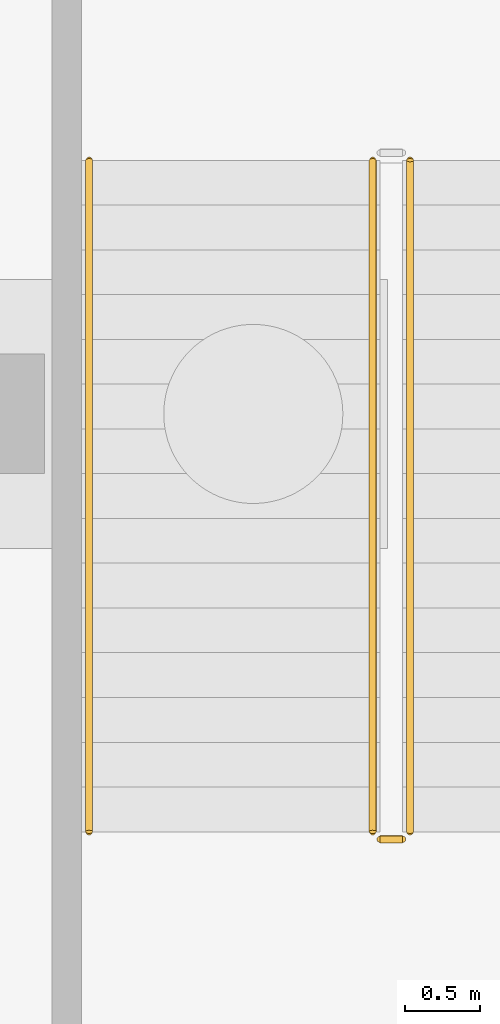
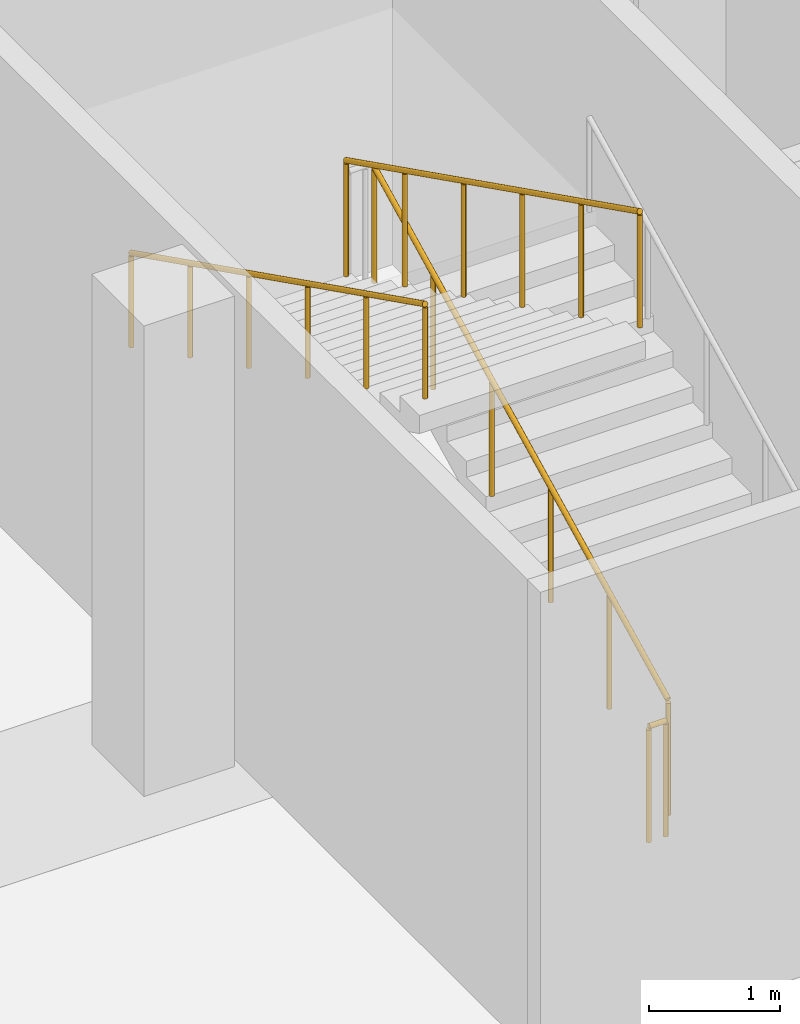
# One storey, part 35 of 46: 4 railings.
"""IFC4 building model written with IfcOpenShell, lengths in metres."""

from ifc_helpers import new_model, si_unit, direction, frame, origin, origin_2d, place, context, subcontext, project, spatial, circle, extrude, material, type_object, element, save


model = new_model("IFC4")

# Units and contexts
model_context = context("Model", 3, precision=1e-05, world=origin(), true_north=direction((0.0, 1.0)))
body_context = subcontext(model_context, "Body", "Model", "MODEL_VIEW")
ifc_project = project(units=[si_unit("LENGTHUNIT", "METRE"), si_unit("AREAUNIT", "SQUARE_METRE"), si_unit("VOLUMEUNIT", "CUBIC_METRE"), si_unit("PLANEANGLEUNIT", "RADIAN"), si_unit("MASSUNIT", "GRAM", prefix="KILO")], contexts=[model_context])

# Site, building, storey
site_placement = place(None, origin())
site = spatial("IfcSite", under=ifc_project, at=site_placement, CompositionType="ELEMENT")
building_placement = place(site_placement, origin())
building = spatial("IfcBuilding", under=site, at=building_placement, Name="Tamra Quay Hotel Tower", CompositionType="ELEMENT")
storey_placement = place(building_placement, frame((0.0, 0.0, -12.0)))
storey = spatial("IfcBuildingStorey", under=building, at=storey_placement, Name="B3", CompositionType="ELEMENT", Elevation=-12.0)

# Railings
ifc_material_1 = material(Name="Basement stair guard 1100")
railing_type_1 = type_object("IfcRailingType", Name="Basement stair guard 1100", PredefinedType="GUARDRAIL", material=ifc_material_1)
railing_1_placement = place(storey_placement, frame((-61.050048828125, 45.199951171875, 0.14990234375)))
element("IfcRailing", 1, at=railing_1_placement, inside=storey, type_object=railing_type_1, Name="BSG", PredefinedType="GUARDRAIL", context=body_context, shape_type="SweptSolid", body=[
    extrude(circle(Radius=0.02392578125, at=origin_2d()), frame((0.0, 0.0, 1.076171875), z_axis=(0.0, 0.894427191, 0.4472135955), x_axis=(-1.0, 0.0, 0.0)), (0.0, 0.0, 1.0), 5.03125),
    extrude(circle(Radius=0.02099609375, at=origin_2d()), origin(), (0.0, 0.0, 1.0), 1.052001953125),
    extrude(circle(Radius=0.02099609375, at=origin_2d()), frame((0.0, 0.89990234375, 0.449951171875)), (0.0, 0.0, 1.0), 1.052001953125),
    extrude(circle(Radius=0.02099609375, at=origin_2d()), frame((0.0, 1.800048828125, 0.89990234375)), (0.0, 0.0, 1.0), 1.052001953125),
    extrude(circle(Radius=0.02099609375, at=origin_2d()), frame((0.0, 2.699951171875, 1.35009765625)), (0.0, 0.0, 1.0), 1.052001953125),
    extrude(circle(Radius=0.02099609375, at=origin_2d()), frame((0.0, 3.60009765625, 1.800048828125)), (0.0, 0.0, 1.0), 1.052001953125),
    extrude(circle(Radius=0.02099609375, at=origin_2d()), frame((0.0, 4.5, 2.25)), (0.0, 0.0, 1.0), 1.052001953125),
])
railing_2_placement = place(storey_placement, frame((-61.300048828125, 49.699951171875, 2.550048828125)))
element("IfcRailing", 2, at=railing_2_placement, inside=storey, type_object=railing_type_1, Name="BSG", PredefinedType="GUARDRAIL", context=body_context, shape_type="SweptSolid", body=[
    extrude(circle(Radius=0.02392578125, at=origin_2d()), frame((0.0, 0.0, 1.076171875), z_axis=(0.0, -0.894427191, 0.4472135955), x_axis=(1.0, 0.0, 0.0)), (0.0, 0.0, 1.0), 5.03125),
    extrude(circle(Radius=0.02099609375, at=origin_2d()), origin(), (0.0, 0.0, 1.0), 1.052001953125),
    extrude(circle(Radius=0.02099609375, at=origin_2d()), frame((0.0, -0.89990234375, 0.449951171875)), (0.0, 0.0, 1.0), 1.052001953125),
    extrude(circle(Radius=0.02099609375, at=origin_2d()), frame((0.0, -1.800048828125, 0.89990234375)), (0.0, 0.0, 1.0), 1.052001953125),
    extrude(circle(Radius=0.02099609375, at=origin_2d()), frame((0.0, -2.699951171875, 1.35009765625)), (0.0, 0.0, 1.0), 1.052001953125),
    extrude(circle(Radius=0.02099609375, at=origin_2d()), frame((0.0, -3.60009765625, 1.800048828125)), (0.0, 0.0, 1.0), 1.052001953125),
    extrude(circle(Radius=0.02099609375, at=origin_2d()), frame((0.0, -4.5, 2.25)), (0.0, 0.0, 1.0), 1.052001953125),
])
railing_3_placement = place(storey_placement, frame((-61.10009765625, 45.14990234375, 0.0)))
element("IfcRailing", 3, at=railing_3_placement, inside=storey, type_object=railing_type_1, Name="BSG", PredefinedType="GUARDRAIL", context=body_context, shape_type="SweptSolid", body=[
    extrude(circle(Radius=0.02392578125, at=origin_2d()), frame((0.0, 0.0, 1.076171875), z_axis=(-1.0, 0.0, 0.0), x_axis=(0.0, -1.0, 0.0)), (0.0, 0.0, 1.0), 0.14990234375),
    extrude(circle(Radius=0.02099609375, at=origin_2d()), origin(), (0.0, 0.0, 1.0), 1.052001953125),
    extrude(circle(Radius=0.02099609375, at=origin_2d()), frame((-0.14990234375, 0.0, 0.0)), (0.0, 0.0, 1.0), 1.052001953125),
])
ifc_material_2 = material(Name="Basement stair handrail 900")
railing_type_2 = type_object("IfcRailingType", Name="Basement stair handrail 900", PredefinedType="HANDRAIL", material=ifc_material_2)
railing_4_placement = place(storey_placement, frame((-63.199951171875, 49.699951171875, 2.550048828125)))
element("IfcRailing", 4, at=railing_4_placement, inside=storey, type_object=railing_type_2, Name="BSH", PredefinedType="HANDRAIL", context=body_context, shape_type="SweptSolid", body=[
    extrude(circle(Radius=0.02392578125, at=origin_2d()), frame((0.0, 0.0, 0.8759765625), z_axis=(0.0, -0.894427191, 0.4472135955), x_axis=(1.0, 0.0, 0.0)), (0.0, 0.0, 1.0), 5.03125),
    extrude(circle(Radius=0.02099609375, at=origin_2d()), origin(), (0.0, 0.0, 1.0), 0.851806640625),
    extrude(circle(Radius=0.02099609375, at=origin_2d()), frame((0.0, -0.89990234375, 0.449951171875)), (0.0, 0.0, 1.0), 0.851806640625),
    extrude(circle(Radius=0.02099609375, at=origin_2d()), frame((0.0, -1.800048828125, 0.89990234375)), (0.0, 0.0, 1.0), 0.851806640625),
    extrude(circle(Radius=0.02099609375, at=origin_2d()), frame((0.0, -2.699951171875, 1.35009765625)), (0.0, 0.0, 1.0), 0.851806640625),
    extrude(circle(Radius=0.02099609375, at=origin_2d()), frame((0.0, -3.60009765625, 1.800048828125)), (0.0, 0.0, 1.0), 0.851806640625),
    extrude(circle(Radius=0.02099609375, at=origin_2d()), frame((0.0, -4.5, 2.25)), (0.0, 0.0, 1.0), 0.851806640625),
])

save(model, "model.ifc")
